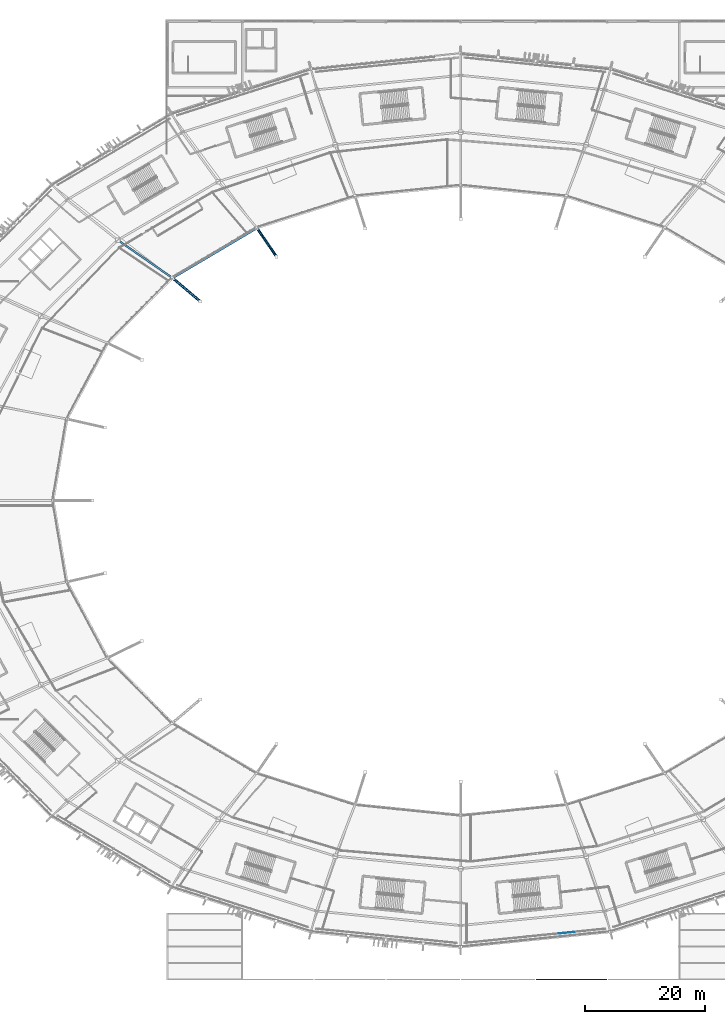
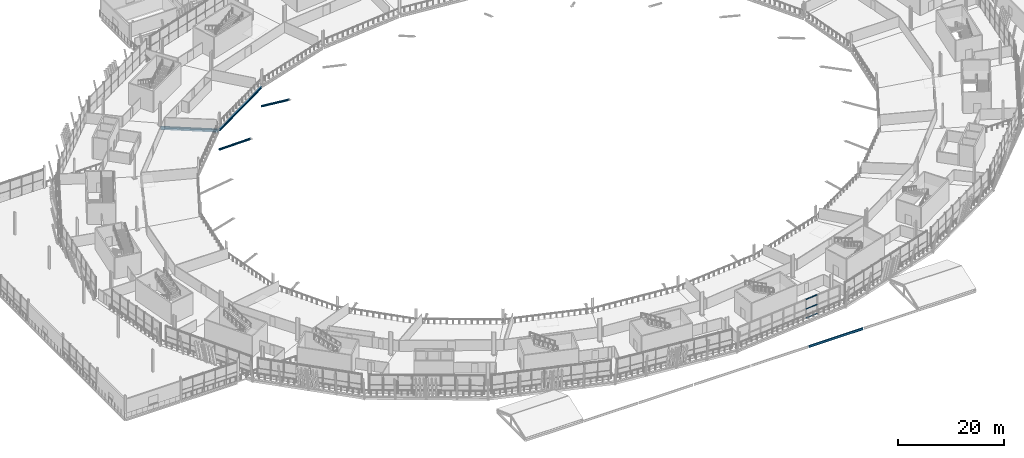
# One storey, part 45 of 168: 5 members, 3 beams, 1 element without a shape of its own.
"""IFC4 building model written with IfcOpenShell, lengths in metres."""

from ifc_helpers import new_model, si_unit, direction, frame, origin, origin_2d, place, context, subcontext, project, spatial, rectangle, hollow_circle, i_section, extrude, material, material_profile, profile_set, type_object, element, aggregate, save


model = new_model("IFC4")

# Units and contexts
model_context = context("Model", 3, precision=1e-05, world=origin(), true_north=direction((0.0, 1.0)))
body_context = subcontext(model_context, "Body", "Model", "MODEL_VIEW")
ifc_project = project(units=[si_unit("LENGTHUNIT", "METRE"), si_unit("AREAUNIT", "SQUARE_METRE"), si_unit("VOLUMEUNIT", "CUBIC_METRE"), si_unit("PLANEANGLEUNIT", "RADIAN"), si_unit("MASSUNIT", "GRAM", prefix="KILO")], contexts=[model_context])

# Site, building, storey
site_placement = place(None, origin())
site = spatial("IfcSite", under=ifc_project, at=site_placement, CompositionType="ELEMENT")
building_placement = place(site_placement, origin())
building = spatial("IfcBuilding", under=site, at=building_placement, Name="Zlatoyarsky Gate Stadium", CompositionType="ELEMENT")
storey_placement = place(building_placement, frame((0.0, 0.0, 15.60009765625)))
storey = spatial("IfcBuildingStorey", under=building, at=storey_placement, Name="L03", CompositionType="ELEMENT", Elevation=15.60009765625)

# Curtain wall, members
ifc_material_1 = material(Name="Thermally broken anodised aluminium curtain wall", Category="aluminium")
curtain_wall_type = type_object("IfcCurtainWallType", Name="MONUMENTAL ARCHED GATE GLAZING UPPER", PredefinedType="USERDEFINED", material=ifc_material_1)
curtain_wall_placement = place(storey_placement, origin())
curtain_wall = element("IfcCurtainWall", 1, at=curtain_wall_placement, inside=storey, type_object=curtain_wall_type, Name="Curtain wall CW-L03-18", ObjectType="ARCHED GATE GLAZING", PredefinedType="USERDEFINED")
ifc_material_2 = material(Name="Anodised aluminium 6063-T6", Category="aluminium")
ifc_material_profile_1 = material_profile(ifc_material_2, rectangle(XDim=0.074951171875, YDim=0.169921875, at=origin_2d()), Name="ALU 75X170")
ifc_profile_set_1 = profile_set([ifc_material_profile_1], Name="Anodised aluminium 6063-T6")
member_type_1 = type_object("IfcMemberType", Name="ALUMINIUM GATE TRANSOM 75X170", PredefinedType="USERDEFINED", material=ifc_profile_set_1)
member_1_placement = place(storey_placement, frame((127.386474609375, 7.660888671875, 0.037353515625), z_axis=(0.994898132245, 0.100884619517, 0.0), x_axis=(-0.100884619517, 0.994898132245, 0.0)))
member_1 = element("IfcMember", 2, at=member_1_placement, type_object=member_type_1, Name="CW-AG2 transom 7.1", ObjectType="TRANSOM", PredefinedType="USERDEFINED", context=body_context, shape_type="SweptSolid", body=[
    extrude(rectangle(XDim=0.074951171875, YDim=0.169921875, at=origin_2d()), origin(), (0.0, 0.0, 1.0), 2.555419921875),
])
member_2_placement = place(storey_placement, frame((127.386474609375, 7.660888671875, 2.14990234375), z_axis=(0.994898132245, 0.100884619517, 0.0), x_axis=(-0.100884619517, 0.994898132245, 0.0)))
member_2 = element("IfcMember", 3, at=member_2_placement, type_object=member_type_1, Name="CW-AG2 transom 7.2", ObjectType="TRANSOM", PredefinedType="USERDEFINED", context=body_context, shape_type="SweptSolid", body=[
    extrude(rectangle(XDim=0.074951171875, YDim=0.169921875, at=origin_2d()), origin(), (0.0, 0.0, 1.0), 2.555419921875),
])
member_3_placement = place(storey_placement, frame((127.386474609375, 7.660888671875, 4.34228515625), z_axis=(0.994898132245, 0.100884619517, 0.0), x_axis=(-0.100884619517, 0.994898132245, 0.0)))
member_3 = element("IfcMember", 4, at=member_3_placement, type_object=member_type_1, Name="CW-AG2 transom 7.3", ObjectType="TRANSOM", PredefinedType="USERDEFINED", context=body_context, shape_type="SweptSolid", body=[
    extrude(rectangle(XDim=0.074951171875, YDim=0.169921875, at=origin_2d()), origin(), (0.0, 0.0, 1.0), 2.555419921875),
])
aggregate(curtain_wall, [member_1, member_2, member_3])

# Members
ifc_material_3 = material(Name="Steel S355", Category="steel")
ifc_material_profile_2 = material_profile(ifc_material_3, hollow_circle(Radius=0.228515625, WallThickness=0.02490234375, at=origin_2d()), Name="CHS 457X25")
ifc_profile_set_2 = profile_set([ifc_material_profile_2], Name="Steel S355")
member_type_2 = type_object("IfcMemberType", Name="STEEL BACKSPAN TIE STRUT CHS 457X25", PredefinedType="STRUT", material=ifc_profile_set_2)
member_4_placement = place(storey_placement, frame((77.0, 125.46630859375, -5.0), z_axis=(0.491000881553, -0.719608413394, 0.491000881553), x_axis=(0.826035604604, 0.563617937903, 0.0)))
element("IfcMember", 5, at=member_4_placement, inside=storey, type_object=member_type_2, Name="Upper tier cantilever strut 08", PredefinedType="STRUT", context=body_context, shape_type="SweptSolid", body=[
    extrude(hollow_circle(Radius=0.228515625, WallThickness=0.02490234375, at=origin_2d()), origin(), (0.0, 0.0, 1.0), 6.619140625),
])
member_5_placement = place(storey_placement, frame((62.916748046875, 117.123046875, -5.0), z_axis=(0.671760825652, -0.568423985586, 0.475006911244), x_axis=(0.645949512336, 0.763380133035, 0.0)))
element("IfcMember", 6, at=member_5_placement, inside=storey, type_object=member_type_2, Name="Upper tier cantilever strut 09", PredefinedType="STRUT", context=body_context, shape_type="SweptSolid", body=[
    extrude(hollow_circle(Radius=0.228515625, WallThickness=0.02490234375, at=origin_2d()), origin(), (0.0, 0.0, 1.0), 6.842041015625),
])

# Beams
ifc_material_profile_3 = material_profile(ifc_material_3, i_section(OverallWidth=0.199951171875, OverallDepth=0.5, WebThickness=0.01025390625, FlangeThickness=0.01611328125, FilletRadius=0.02099609375, at=origin_2d()), Name="IPE 500")
ifc_profile_set_3 = profile_set([ifc_material_profile_3], Name="Steel S355")
beam_type_1 = type_object("IfcBeamType", Name="STEEL FLOOR BEAM IPE 500", PredefinedType="BEAM", material=ifc_profile_set_3)
beam_1_placement = place(storey_placement, frame((123.580078125, 0.0, -0.530029296875), z_axis=(1.0, 0.0, 0.0), x_axis=(0.0, 1.0, 0.0)))
element("IfcBeam", 7, at=beam_1_placement, inside=storey, type_object=beam_type_1, Name="Beam B-IPE500 BM-L03-WGX-11-A", PredefinedType="BEAM", context=body_context, shape_type="SweptSolid", body=[
    extrude(i_section(OverallWidth=0.199951171875, OverallDepth=0.5, WebThickness=0.01025390625, FlangeThickness=0.01611328125, FilletRadius=0.02099609375, at=origin_2d()), origin(), (0.0, 0.0, 1.0), 11.83984375),
])
ifc_material_profile_4 = material_profile(ifc_material_3, i_section(OverallWidth=0.300048828125, OverallDepth=0.5, WebThickness=0.014404296875, FlangeThickness=0.028076171875, FilletRadius=0.027099609375, at=origin_2d()), Name="HEB 500")
ifc_profile_set_4 = profile_set([ifc_material_profile_4], Name="Steel S355")
beam_type_2 = type_object("IfcBeamType", Name="STEEL PRIMARY GIRDER HEB 500", PredefinedType="BEAM", material=ifc_profile_set_4)
beam_2_placement = place(storey_placement, frame((76.896728515625, 125.405029296875, -0.530029296875), z_axis=(-0.860360371321, -0.50968620882, 0.0), x_axis=(0.50968620882, -0.860360371321, 0.0)))
element("IfcBeam", 8, at=beam_2_placement, inside=storey, type_object=beam_type_2, Name="Beam G-HEB500 BM-L03-CRA-08", PredefinedType="BEAM", context=body_context, shape_type="SweptSolid", body=[
    extrude(i_section(OverallWidth=0.300048828125, OverallDepth=0.5, WebThickness=0.014404296875, FlangeThickness=0.028076171875, FilletRadius=0.027099609375, at=origin_2d()), origin(), (0.0, 0.0, 1.0), 16.12890625),
])
ifc_material_profile_5 = material_profile(ifc_material_3, i_section(OverallWidth=0.300048828125, OverallDepth=0.699951171875, WebThickness=0.01708984375, FlangeThickness=0.031982421875, FilletRadius=0.027099609375, at=origin_2d()), Name="HEB 700")
ifc_profile_set_5 = profile_set([ifc_material_profile_5], Name="Steel S355")
beam_type_3 = type_object("IfcBeamType", Name="STEEL PRIMARY GIRDER HEB 700", PredefinedType="BEAM", material=ifc_profile_set_5)
beam_3_placement = place(storey_placement, frame((62.818115234375, 117.19140625, -0.630126953125), z_axis=(-0.822196208432, 0.569204176758, 0.0), x_axis=(-0.569204176758, -0.822196208432, 0.0)))
element("IfcBeam", 9, at=beam_3_placement, inside=storey, type_object=beam_type_3, Name="Beam G-HEB700 BM-L03-RAB-09", PredefinedType="BEAM", context=body_context, shape_type="SweptSolid", body=[
    extrude(i_section(OverallWidth=0.300048828125, OverallDepth=0.699951171875, WebThickness=0.01708984375, FlangeThickness=0.031982421875, FilletRadius=0.027099609375, at=origin_2d()), origin(), (0.0, 0.0, 1.0), 10.9404296875),
])

save(model, "model.ifc")
